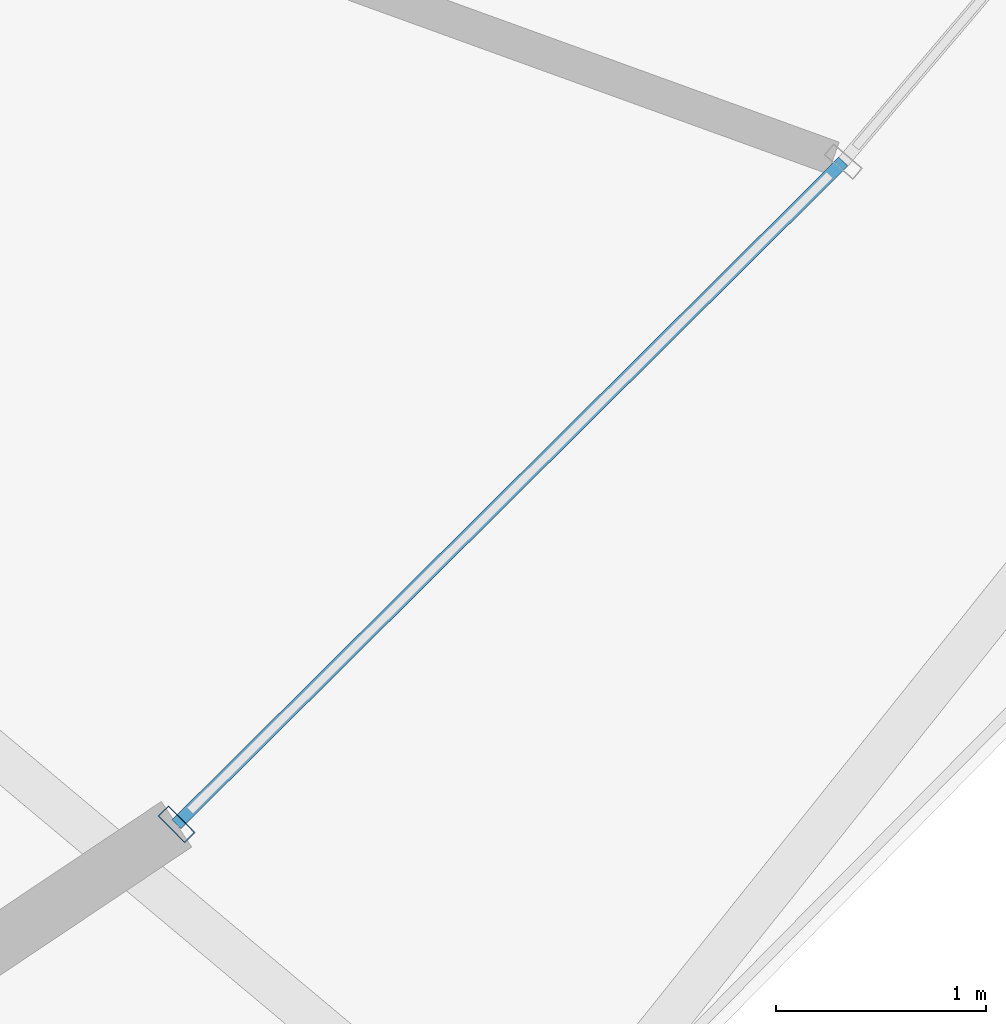
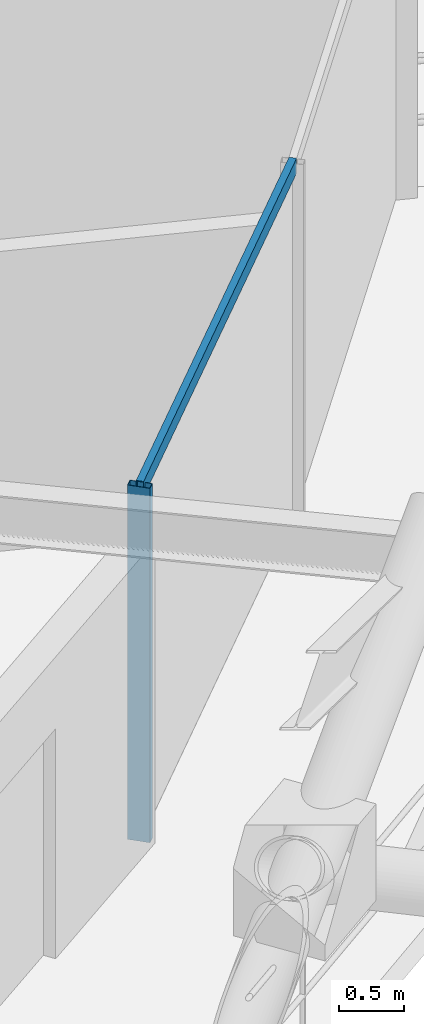
# One storey, part 5 of 16: 2 members, 1 element without a shape of its own.
"""IFC4 building model written with IfcOpenShell, lengths in metres."""

from ifc_helpers import new_model, si_unit, direction, frame, origin, origin_2d, place, context, subcontext, project, spatial, hollow_rectangle, extrude, material, layer, layer_set, material_profile, profile_set, type_object, element, aggregate, save


model = new_model("IFC4")

# Units and contexts
model_context = context("Model", 3, precision=1e-05, world=origin(), true_north=direction((0.0, 1.0)))
body_context = subcontext(model_context, "Body", "Model", "MODEL_VIEW")
ifc_project = project(units=[si_unit("LENGTHUNIT", "METRE"), si_unit("AREAUNIT", "SQUARE_METRE"), si_unit("VOLUMEUNIT", "CUBIC_METRE"), si_unit("PLANEANGLEUNIT", "RADIAN"), si_unit("MASSUNIT", "GRAM", prefix="KILO")], contexts=[model_context])

# Site, building, storey
site_placement = place(None, origin())
site = spatial("IfcSite", under=ifc_project, at=site_placement, CompositionType="ELEMENT")
building_placement = place(site_placement, origin())
building = spatial("IfcBuilding", under=site, at=building_placement, Name="Veldorina Hangang Commons", CompositionType="ELEMENT")
storey_placement = place(building_placement, frame((0.0, 0.0, 174.800048828125)))
storey = spatial("IfcBuildingStorey", under=building, at=storey_placement, Name="L45", CompositionType="ELEMENT", Elevation=174.800048828125)

# Curtain wall, members
ifc_material_1 = material(Name="Glass Low-E Triple IGU", Category="glass")
ifc_layer = layer(ifc_material_1, 0.179931640625)
ifc_layer_set = layer_set([ifc_layer], Name="Glass Low-E Triple IGU")
curtain_wall_type = type_object("IfcCurtainWallType", Name="CW-SYS-Z2", PredefinedType="NOTDEFINED", material=ifc_layer_set)
curtain_wall_placement = place(storey_placement, origin())
curtain_wall = element("IfcCurtainWall", 1, at=curtain_wall_placement, inside=storey, type_object=curtain_wall_type, Name="L45 unitised curtain wall CW-L45-R2", PredefinedType="NOTDEFINED")
ifc_material_2 = material(Name="Aluminium Anodized AA6063-T6", Category="aluminium")
ifc_material_profile_1 = material_profile(ifc_material_2, hollow_rectangle(XDim=0.070068359375, YDim=0.179931640625, WallThickness=0.00390625, at=origin_2d()), Name="ALU-RHS-180x70x4")
ifc_profile_set_1 = profile_set([ifc_material_profile_1], Name="Aluminium Anodized AA6063-T6")
member_type_1 = type_object("IfcMemberType", Name="CW-MUL-180", PredefinedType="MULLION", material=ifc_profile_set_1)
member_1_placement = place(storey_placement, frame((50.01708984375, 9.306396484375, 0.0), z_axis=(0.0, 0.0, 1.0), x_axis=(0.709312426955, 0.704894233887, 0.0)))
member_1 = element("IfcMember", 2, at=member_1_placement, type_object=member_type_1, Name="CW-L45-R2 vertical mullion 1", PredefinedType="MULLION", context=body_context, shape_type="SweptSolid", body=[
    extrude(hollow_rectangle(XDim=0.070068359375, YDim=0.179931640625, WallThickness=0.00390625, at=origin_2d()), origin(), (0.0, 0.0, 1.0), 3.31005859375),
])
ifc_material_profile_2 = material_profile(ifc_material_2, hollow_rectangle(XDim=0.06005859375, YDim=0.139892578125, WallThickness=0.00341796875, at=origin_2d()), Name="ALU-RHS-140x60x3.5")
ifc_profile_set_2 = profile_set([ifc_material_profile_2], Name="Aluminium Anodized AA6063-T6")
member_type_2 = type_object("IfcMemberType", Name="CW-TRN-140", PredefinedType="USERDEFINED", material=ifc_profile_set_2)
member_2_placement = place(storey_placement, frame((50.01708984375, 9.306396484375, 3.27001953125), z_axis=(0.709316686795, 0.704889947321, 0.0), x_axis=(-0.704889947321, 0.709316686795, 0.0)))
member_2 = element("IfcMember", 3, at=member_2_placement, type_object=member_type_2, Name="CW-L45-R2 facet 1 transom 1", ObjectType="TRANSOM", PredefinedType="USERDEFINED", context=body_context, shape_type="SweptSolid", body=[
    extrude(hollow_rectangle(XDim=0.06005859375, YDim=0.139892578125, WallThickness=0.00341796875, at=origin_2d()), origin(), (0.0, 0.0, 1.0), 4.46728515625),
])
aggregate(curtain_wall, [member_1, member_2])

save(model, "model.ifc")
